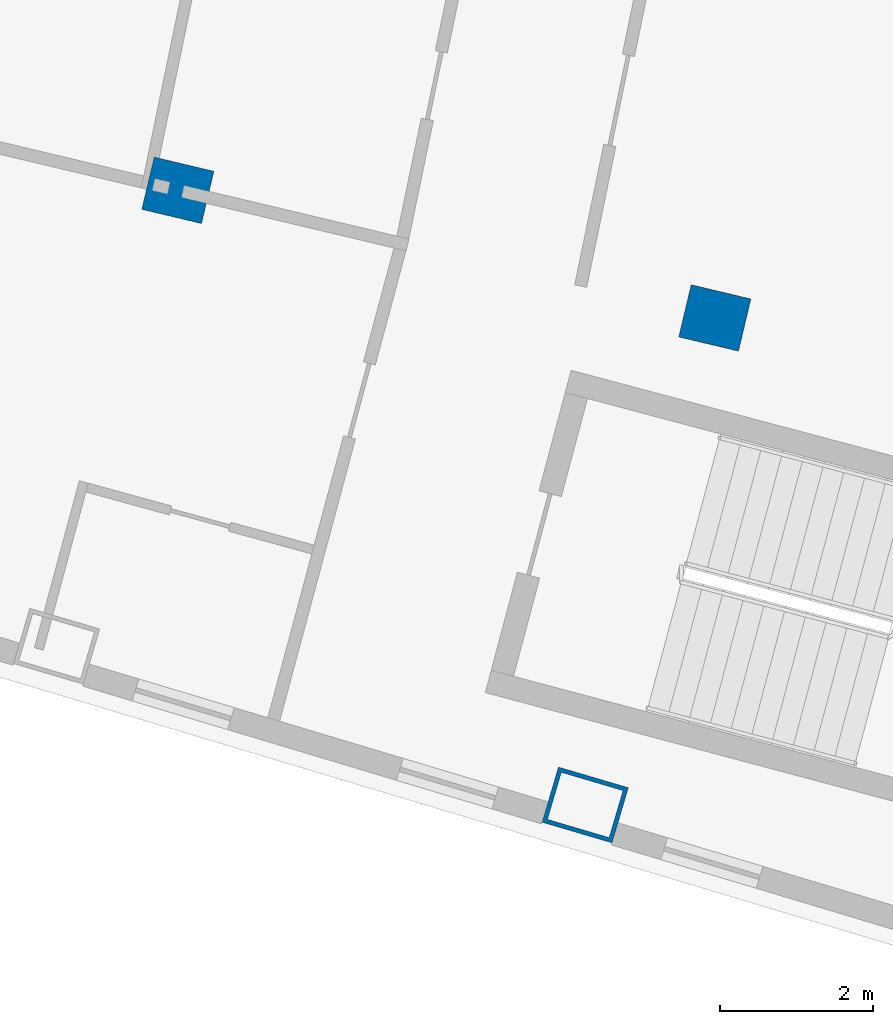
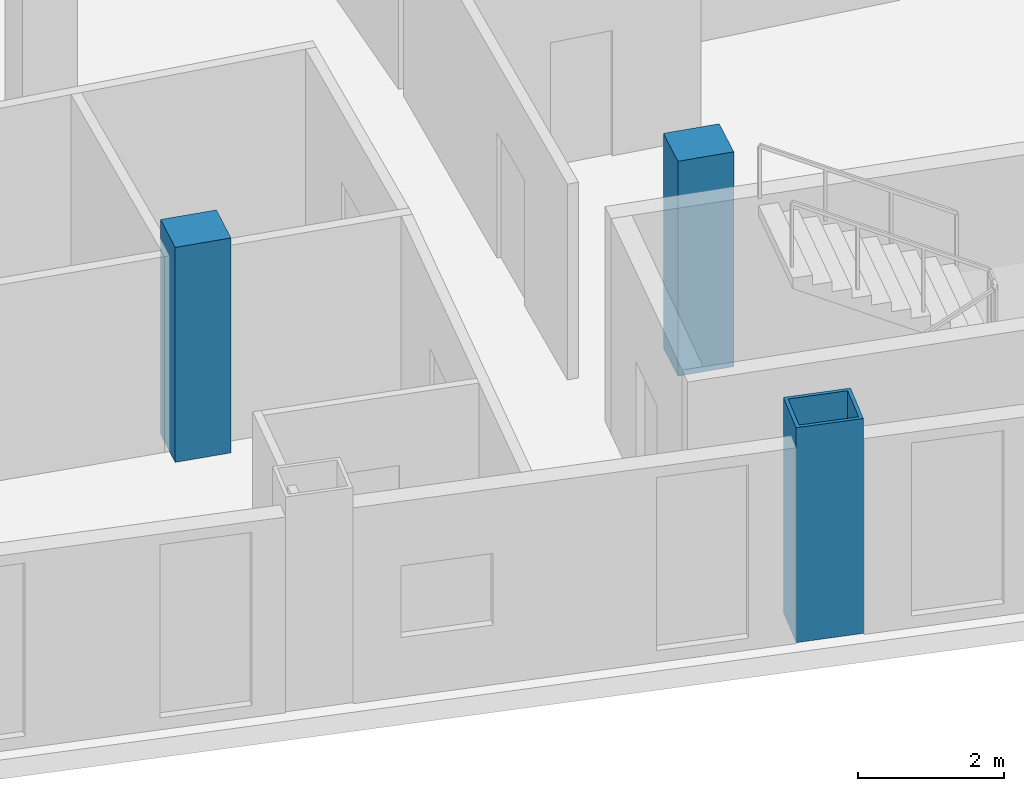
# One storey, part 2 of 19: 3 columns.
"""IFC4 building model written with IfcOpenShell, lengths in metres."""

from ifc_helpers import new_model, si_unit, direction, frame, origin, origin_2d, place, context, subcontext, project, spatial, rectangle, hollow_rectangle, extrude, material, material_profile, profile_set, type_object, element, save


model = new_model("IFC4")

# Units and contexts
model_context = context("Model", 3, precision=1e-05, world=origin(), true_north=direction((0.0, 1.0)))
body_context = subcontext(model_context, "Body", "Model", "MODEL_VIEW")
ifc_project = project(units=[si_unit("LENGTHUNIT", "METRE"), si_unit("AREAUNIT", "SQUARE_METRE"), si_unit("VOLUMEUNIT", "CUBIC_METRE"), si_unit("PLANEANGLEUNIT", "RADIAN"), si_unit("MASSUNIT", "GRAM", prefix="KILO")], contexts=[model_context])

# Site, building, storey
site_placement = place(None, origin())
site = spatial("IfcSite", under=ifc_project, at=site_placement, CompositionType="ELEMENT")
building_placement = place(site_placement, origin())
building = spatial("IfcBuilding", under=site, at=building_placement, Name="Alderwake Tower", CompositionType="ELEMENT")
storey_placement = place(building_placement, frame((0.0, 0.0, 228.800048828125)))
storey = spatial("IfcBuildingStorey", under=building, at=storey_placement, Name="L57", CompositionType="ELEMENT", Elevation=228.800048828125)

# Columns
ifc_material_1 = material(Name="Steel ASTM A572 Grade 50 concrete filled C70/85", Category="concrete")
ifc_material_profile_1 = material_profile(ifc_material_1, hollow_rectangle(XDim=0.75, YDim=0.949951171875, WallThickness=0.054931640625, at=origin_2d()), Name="BOX 950X750X55")
ifc_profile_set_1 = profile_set([ifc_material_profile_1], Name="Steel ASTM A572 Grade 50 concrete filled C70/85")
column_type_1 = type_object("IfcColumnType", Name="End column Z4", PredefinedType="COLUMN", material=ifc_profile_set_1)
column_placement = place(storey_placement, frame((37.976318359375, 26.20654296875, 0.0), z_axis=(0.0, 0.0, 1.0), x_axis=(0.282873846689, 0.959157123134, 0.0)))
element("IfcColumn", 1, at=column_placement, inside=storey, type_object=column_type_1, Name="Column R02-C3", PredefinedType="COLUMN", context=body_context, shape_type="SweptSolid", body=[
    extrude(hollow_rectangle(XDim=0.75, YDim=0.949951171875, WallThickness=0.054931640625, at=origin_2d()), origin(), (0.0, 0.0, 1.0), 3.599853515625),
])
ifc_material_2 = material(Name="Concrete C70/85", Category="concrete")
ifc_material_profile_2 = material_profile(ifc_material_2, rectangle(XDim=0.699951171875, YDim=0.800048828125, at=origin_2d()), Name="RC 800X700")
ifc_profile_set_2 = profile_set([ifc_material_profile_2], Name="Concrete C70/85")
column_type_2 = type_object("IfcColumnType", Name="Interior column Z4", PredefinedType="COLUMN", material=ifc_profile_set_2)
for number, where, z_axis, x_axis, name in (
    (2, (32.661865234375, 34.224609375, 0.0), (0.0, 0.0, 1.0), (0.231221547198, 0.972901123502, 0.0), "Column R03-C2"),
    (3, (39.666748046875, 32.559814453125, 0.0), (0.0, 0.0, 1.0), (0.231221547198, 0.972901123502, 0.0), "Column R03-C3"),
):
    element("IfcColumn", number, at=place(storey_placement, frame(where, z_axis=z_axis, x_axis=x_axis)), inside=storey, type_object=column_type_2, Name=name, PredefinedType="COLUMN", context=body_context, shape_type="SweptSolid", body=[
        extrude(rectangle(XDim=0.699951171875, YDim=0.800048828125, at=origin_2d()), origin(), (0.0, 0.0, 1.0), 3.599853515625),
    ])

save(model, "model.ifc")
